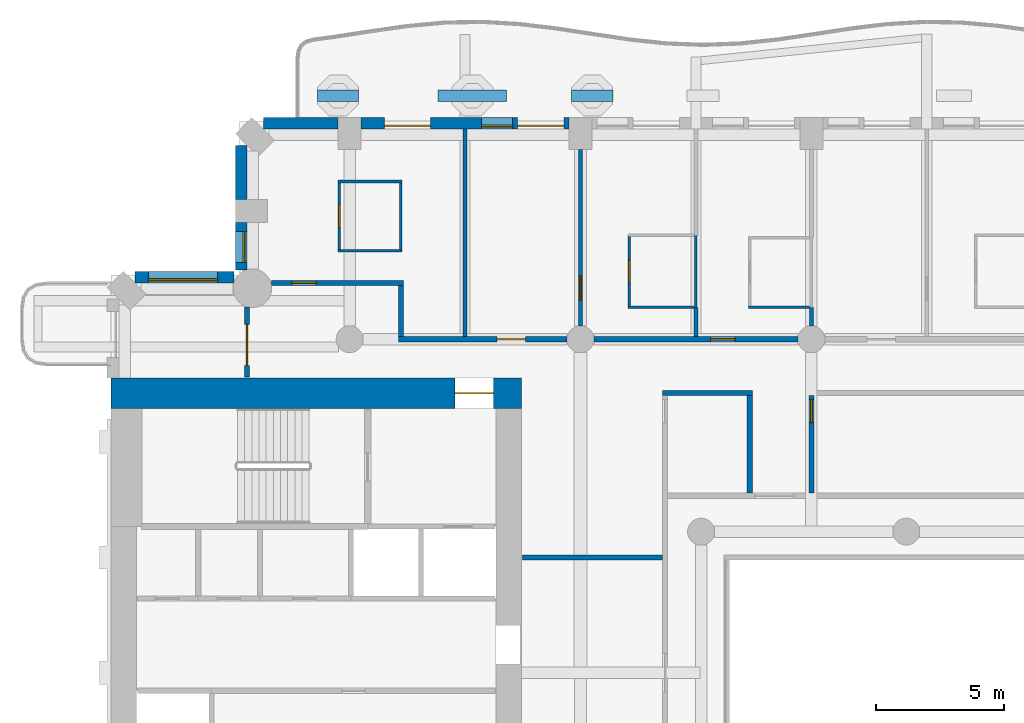
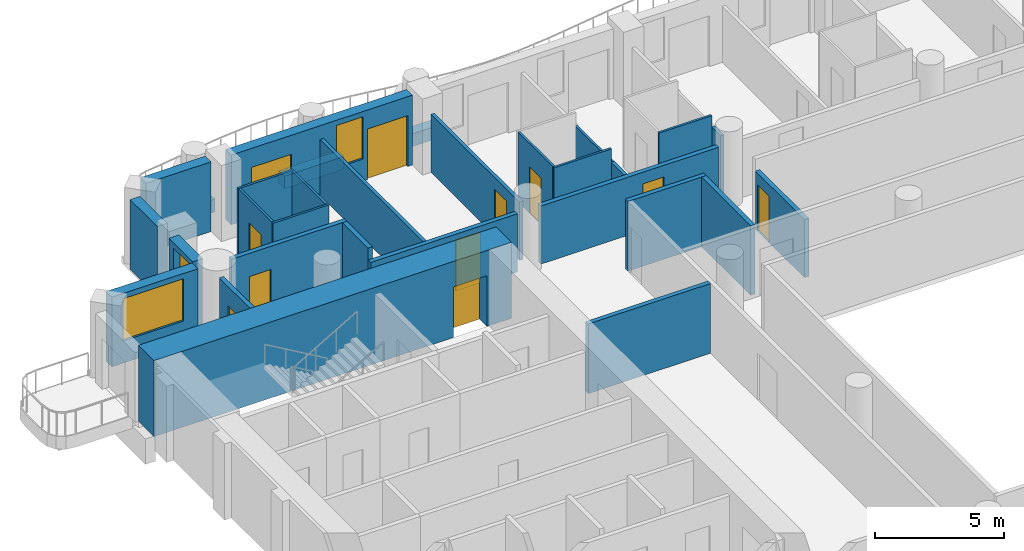
# One storey, part 8 of 20: 30 walls, 11 doors, 3 windows, 14 openings.
"""IFC4 building model written with IfcOpenShell, lengths in metres."""

from ifc_helpers import new_model, si_unit, direction, frame, frame_2d, origin, place, context, subcontext, project, spatial, rectangle, extrude, material, layer, layer_set, type_object, element, fill, save


model = new_model("IFC4")

# Units and contexts
model_context = context("Model", 3, precision=1e-05, world=origin(), true_north=direction((0.0, 1.0)))
body_context = subcontext(model_context, "Body", "Model", "MODEL_VIEW")
ifc_project = project(units=[si_unit("LENGTHUNIT", "METRE"), si_unit("AREAUNIT", "SQUARE_METRE"), si_unit("VOLUMEUNIT", "CUBIC_METRE"), si_unit("PLANEANGLEUNIT", "RADIAN"), si_unit("MASSUNIT", "GRAM", prefix="KILO")], contexts=[model_context])

# Site, building, storey
site_placement = place(None, origin())
site = spatial("IfcSite", under=ifc_project, at=site_placement, CompositionType="ELEMENT")
building_placement = place(site_placement, origin())
building = spatial("IfcBuilding", under=site, at=building_placement, Name="Cypress Arch Tower", CompositionType="ELEMENT")
storey_placement = place(building_placement, frame((0.0, 0.0, 109.5)))
storey = spatial("IfcBuildingStorey", under=building, at=storey_placement, Name="L22", CompositionType="ELEMENT", Elevation=109.5)

# Walls
ifc_material_1 = material(Name="Concrete C40/50, waterproofed", Category="concrete")
ifc_layer_1 = layer(ifc_material_1, 0.449951171875)
ifc_layer_set_1 = layer_set([ifc_layer_1], Name="Balcony planter wall PW450")
wall_type_1 = type_object("IfcWallType", Name="Balcony planter wall PW450", PredefinedType="SOLIDWALL", material=ifc_layer_set_1)
wall_1_placement = place(storey_placement, frame((-10.4375, 27.0, 0.0), z_axis=(0.0, 0.0, 1.0), x_axis=(-1.0, 0.0, 0.0)))
element("IfcWall", 1, at=wall_1_placement, inside=storey, type_object=wall_type_1, Name="Balcony planter wall L22-A08.4", PredefinedType="SOLIDWALL", context=body_context, shape_type="SweptSolid", body=[
    extrude(rectangle(XDim=1.612548828125, YDim=0.449951171875, at=frame_2d((0.80615234375, 0.0))), origin(), (0.0, 0.0, 1.0), 0.60009765625),
])
wall_2_placement = place(storey_placement, frame((-14.574951171875, 27.0, 0.0), z_axis=(0.0, 0.0, 1.0), x_axis=(-1.0, 0.0, 0.0)))
element("IfcWall", 2, at=wall_2_placement, inside=storey, type_object=wall_type_1, Name="Balcony planter wall L22-A08.5", PredefinedType="SOLIDWALL", context=body_context, shape_type="SweptSolid", body=[
    extrude(rectangle(XDim=2.675048828125, YDim=0.449951171875, at=frame_2d((1.33740234375, 0.0))), origin(), (0.0, 0.0, 1.0), 0.60009765625),
])
wall_3_placement = place(storey_placement, frame((-20.35009765625, 27.0, 0.0), z_axis=(0.0, 0.0, 1.0), x_axis=(-1.0, 0.0, 0.0)))
element("IfcWall", 3, at=wall_3_placement, inside=storey, type_object=wall_type_1, Name="Balcony planter wall L22-A08.6", PredefinedType="SOLIDWALL", context=body_context, shape_type="SweptSolid", body=[
    extrude(rectangle(XDim=1.599853515625, YDim=0.449951171875, at=frame_2d((0.7998046875, 0.0))), origin(), (0.0, 0.0, 1.0), 0.60009765625),
])

# Wall, openings, doors, window
ifc_material_2 = material(Name="Brick (red buff blend)", Category="masonry")
ifc_layer_2 = layer(ifc_material_2, 0.449951171875)
ifc_layer_set_2 = layer_set([ifc_layer_2], Name="Brick pier and spandrel wall BW450")
wall_type_2 = type_object("IfcWallType", Name="Brick pier and spandrel wall BW450", PredefinedType="SOLIDWALL", material=ifc_layer_set_2)
wall_4_placement = place(storey_placement, frame((-12.14990234375, 25.925048828125, 0.0), z_axis=(0.0, 0.0, 1.0), x_axis=(-1.0, 0.0, 0.0)))
wall_4 = element("IfcWall", 4, at=wall_4_placement, inside=storey, type_object=wall_type_2, Name="Brick wall L22 A08.3", PredefinedType="SOLIDWALL", context=body_context, shape_type="SweptSolid", body=[
    extrude(rectangle(XDim=8.10009765625, YDim=0.449951171875, at=frame_2d((4.050048828125, 0.0))), origin(), (0.0, 0.0, 1.0), 3.300048828125),
])
opening_1_placement = place(wall_4_placement, frame((0.199951171875, 0.0, 0.0)))
opening_1 = element("IfcOpeningElement", 5, at=opening_1_placement, cuts=wall_4, Name="Opening D-L22-A08.3.1", PredefinedType="OPENING", context=body_context, shape_type="SweptSolid", body=[
    extrude(rectangle(XDim=1.800048828125, YDim=2.39990234375, at=frame_2d((0.89990234375, 1.199951171875))), frame((0.0, 0.23486328125, 0.0), z_axis=(0.0, -1.0, 0.0), x_axis=(1.0, 0.0, 0.0)), (0.0, 0.0, 1.0), 0.469970703125),
])
opening_2_placement = place(wall_4_placement, frame((2.199951171875, 0.0, 1.050048828125)))
opening_2 = element("IfcOpeningElement", 6, at=opening_2_placement, cuts=wall_4, Name="Opening W120HD", PredefinedType="OPENING", context=body_context, shape_type="SweptSolid", body=[
    extrude(rectangle(XDim=1.199951171875, YDim=2.0, at=frame_2d((0.60009765625, 1.0))), frame((0.0, 0.23486328125, 0.0), z_axis=(0.0, -1.0, 0.0), x_axis=(1.0, 0.0, 0.0)), (0.0, 0.0, 1.0), 0.469970703125),
])
opening_3_placement = place(wall_4_placement, frame((5.39990234375, 0.0, 0.0)))
opening_3 = element("IfcOpeningElement", 7, at=opening_3_placement, cuts=wall_4, Name="Opening D-L22-A08.3.2", PredefinedType="OPENING", context=body_context, shape_type="SweptSolid", body=[
    extrude(rectangle(XDim=1.800048828125, YDim=2.39990234375, at=frame_2d((0.89990234375, 1.199951171875))), frame((0.0, 0.23486328125, 0.0), z_axis=(0.0, -1.0, 0.0), x_axis=(1.0, 0.0, 0.0)), (0.0, 0.0, 1.0), 0.469970703125),
])
ifc_material_3 = material(Name="Anodised aluminium, bronze finish, laminated low-emissivity double glazing, large-missile impact rated", Category="aluminium")
door_type_1 = type_object("IfcDoorType", Name="Balcony sliding door 1800x2400", OperationType="SLIDING_TO_LEFT", PredefinedType="DOOR", material=ifc_material_3)
door_1_placement = place(opening_1_placement, origin())
door_1 = element("IfcDoor", 8, at=door_1_placement, inside=storey, type_object=door_type_1, Name="Balcony door L22 A08.3.1", OperationType="SLIDING_TO_LEFT", OverallHeight=2.39990234375, OverallWidth=1.800048828125, PredefinedType="DOOR", context=body_context, shape_type="SweptSolid", body=[
    extrude(rectangle(XDim=1.800048828125, YDim=2.39990234375, at=frame_2d((0.89990234375, 1.199951171875))), frame((0.0, 0.1298828125, 0.0), z_axis=(0.0, -1.0, 0.0), x_axis=(1.0, 0.0, 0.0)), (0.0, 0.0, 1.0), 0.050048828125),
])
fill(opening_1, door_1)
door_2_placement = place(opening_3_placement, origin())
door_2 = element("IfcDoor", 9, at=door_2_placement, inside=storey, type_object=door_type_1, Name="Balcony door L22 A08.3.2", OperationType="SLIDING_TO_LEFT", OverallHeight=2.39990234375, OverallWidth=1.800048828125, PredefinedType="DOOR", context=body_context, shape_type="SweptSolid", body=[
    extrude(rectangle(XDim=1.800048828125, YDim=2.39990234375, at=frame_2d((0.89990234375, 1.199951171875))), frame((0.0, 0.1298828125, 0.0), z_axis=(0.0, -1.0, 0.0), x_axis=(1.0, 0.0, 0.0)), (0.0, 0.0, 1.0), 0.050048828125),
])
fill(opening_3, door_2)
ifc_material_4 = material(Name="Anodised aluminium, bronze finish, laminated low-emissivity double glazing, large-missile impact rated", Category="aluminium")
window_type_1 = type_object("IfcWindowType", Name="Window Hotel 1200x2000 debris-rated", PartitioningType="SINGLE_PANEL", PredefinedType="WINDOW", material=ifc_material_4)
window_1_placement = place(opening_2_placement, origin())
window_1 = element("IfcWindow", 10, at=window_1_placement, inside=storey, type_object=window_type_1, Name="Window L22 A08.3.1", OverallHeight=2.0, OverallWidth=1.199951171875, PartitioningType="SINGLE_PANEL", PredefinedType="WINDOW", context=body_context, shape_type="SweptSolid", body=[
    extrude(rectangle(XDim=1.199951171875, YDim=2.0, at=frame_2d((0.60009765625, 1.0))), frame((0.0, 0.135009765625, 0.0), z_axis=(0.0, -1.0, 0.0), x_axis=(1.0, 0.0, 0.0)), (0.0, 0.0, 1.0), 0.06005859375),
])
fill(opening_2, window_1)

# Walls
wall_5_placement = place(storey_placement, frame((-21.14990234375, 25.925048828125, 0.0), z_axis=(0.0, 0.0, 1.0), x_axis=(-1.0, 0.0, 0.0)))
element("IfcWall", 11, at=wall_5_placement, inside=storey, type_object=wall_type_2, Name="Brick wall L22 A08.4", PredefinedType="SOLIDWALL", context=body_context, shape_type="SweptSolid", body=[
    extrude(rectangle(XDim=2.913818359375, YDim=0.449951171875, at=frame_2d((1.45703125, 0.0))), origin(), (0.0, 0.0, 1.0), 3.300048828125),
])
wall_6_placement = place(storey_placement, frame((-24.925048828125, 25.063720703125, 0.0), z_axis=(0.0, 0.0, 1.0), x_axis=(0.0, -1.0, 0.0)))
element("IfcWall", 12, at=wall_6_placement, inside=storey, type_object=wall_type_2, Name="Brick wall L22 A09.0", PredefinedType="SOLIDWALL", context=body_context, shape_type="SweptSolid", body=[
    extrude(rectangle(XDim=2.11376953125, YDim=0.449951171875, at=frame_2d((1.056884765625, 0.0))), origin(), (0.0, 0.0, 1.0), 3.300048828125),
])

# Wall, opening, window
wall_7_placement = place(storey_placement, frame((-24.925048828125, 22.050048828125, 0.0), z_axis=(0.0, 0.0, 1.0), x_axis=(0.0, -1.0, 0.0)))
wall_7 = element("IfcWall", 13, at=wall_7_placement, inside=storey, type_object=wall_type_2, Name="Brick wall L22 A09.1", PredefinedType="SOLIDWALL", context=body_context, shape_type="SweptSolid", body=[
    extrude(rectangle(XDim=1.843017578125, YDim=0.449951171875, at=frame_2d((0.92138671875, 0.0))), origin(), (0.0, 0.0, 1.0), 3.300048828125),
])
opening_4_placement = place(wall_7_placement, frame((0.35009765625, 0.0, 1.050048828125)))
opening_4 = element("IfcOpeningElement", 14, at=opening_4_placement, cuts=wall_7, Name="Opening W120H", PredefinedType="OPENING", context=body_context, shape_type="SweptSolid", body=[
    extrude(rectangle(XDim=1.199951171875, YDim=2.0, at=frame_2d((0.60009765625, 1.0))), frame((0.0, 0.23486328125, 0.0), z_axis=(0.0, -1.0, 0.0), x_axis=(1.0, 0.0, 0.0)), (0.0, 0.0, 1.0), 0.469970703125),
])
ifc_material_5 = material(Name="Anodised aluminium, bronze finish, clear low-emissivity double glazing", Category="aluminium")
window_type_2 = type_object("IfcWindowType", Name="Window Hotel 1200x2000", PartitioningType="SINGLE_PANEL", PredefinedType="WINDOW", material=ifc_material_5)
window_2_placement = place(opening_4_placement, origin())
window_2 = element("IfcWindow", 15, at=window_2_placement, inside=storey, type_object=window_type_2, Name="Window L22 A09.1.1", OverallHeight=2.0, OverallWidth=1.199951171875, PartitioningType="SINGLE_PANEL", PredefinedType="WINDOW", context=body_context, shape_type="SweptSolid", body=[
    extrude(rectangle(XDim=1.199951171875, YDim=2.0, at=frame_2d((0.60009765625, 1.0))), frame((0.0, 0.135009765625, 0.0), z_axis=(0.0, -1.0, 0.0), x_axis=(1.0, 0.0, 0.0)), (0.0, 0.0, 1.0), 0.06005859375),
])
fill(opening_4, window_2)

wall_8_placement = place(storey_placement, frame((-25.20703125, 19.925048828125, 0.0), z_axis=(0.0, 0.0, 1.0), x_axis=(-1.0, 0.0, 0.0)))
wall_8 = element("IfcWall", 16, at=wall_8_placement, inside=storey, type_object=wall_type_2, Name="Brick wall L22 A10.0", PredefinedType="SOLIDWALL", context=body_context, shape_type="SweptSolid", body=[
    extrude(rectangle(XDim=3.856689453125, YDim=0.449951171875, at=frame_2d((1.92822265625, 0.0))), origin(), (0.0, 0.0, 1.0), 3.300048828125),
])
opening_5_placement = place(wall_8_placement, frame((0.64306640625, 0.0, 1.050048828125)))
opening_5 = element("IfcOpeningElement", 17, at=opening_5_placement, cuts=wall_8, Name="Opening W270H", PredefinedType="OPENING", context=body_context, shape_type="SweptSolid", body=[
    extrude(rectangle(XDim=2.699951171875, YDim=2.0, at=frame_2d((1.35009765625, 1.0))), frame((0.0, 0.23486328125, 0.0), z_axis=(0.0, -1.0, 0.0), x_axis=(1.0, 0.0, 0.0)), (0.0, 0.0, 1.0), 0.469970703125),
])
ifc_material_6 = material(Name="Anodised aluminium, bronze finish, clear low-emissivity double glazing", Category="aluminium")
window_type_3 = type_object("IfcWindowType", Name="Window Hotel 2700x2000", PartitioningType="SINGLE_PANEL", PredefinedType="WINDOW", material=ifc_material_6)
window_3_placement = place(opening_5_placement, origin())
window_3 = element("IfcWindow", 18, at=window_3_placement, inside=storey, type_object=window_type_3, Name="Window L22 A10.0.1", OverallHeight=2.0, OverallWidth=2.699951171875, PartitioningType="SINGLE_PANEL", PredefinedType="WINDOW", context=body_context, shape_type="SweptSolid", body=[
    extrude(rectangle(XDim=2.699951171875, YDim=2.0, at=frame_2d((1.35009765625, 1.0))), frame((0.0, 0.135009765625, 0.0), z_axis=(0.0, -1.0, 0.0), x_axis=(1.0, 0.0, 0.0)), (0.0, 0.0, 1.0), 0.06005859375),
])
fill(opening_5, window_3)

# Wall, opening, door
ifc_material_7 = material(Name="Concrete C80/95", Category="concrete")
ifc_layer_3 = layer(ifc_material_7, 1.199951171875)
ifc_layer_set_3 = layer_set([ifc_layer_3], Name="Core wall CW1200 C80/95")
wall_type_3 = type_object("IfcWallType", Name="Core wall CW1200 C80/95", PredefinedType="SHEAR", material=ifc_layer_set_3)
wall_9_placement = place(storey_placement, frame((-30.0, 15.39990234375, 0.0), z_axis=(0.0, 0.0, 1.0), x_axis=(1.0, 0.0, 0.0)))
wall_9 = element("IfcWall", 19, at=wall_9_placement, inside=storey, type_object=wall_type_3, Name="Core wall", PredefinedType="SHEAR", context=body_context, shape_type="SweptSolid", body=[
    extrude(rectangle(XDim=16.0, YDim=1.199951171875, at=frame_2d((8.0, 0.0))), origin(), (0.0, 0.0, 1.0), 3.60009765625),
])
opening_6_placement = place(wall_9_placement, frame((13.39990234375, 0.0, 0.0)))
opening_6 = element("IfcOpeningElement", 20, at=opening_6_placement, cuts=wall_9, Name="Opening D07", PredefinedType="OPENING", context=body_context, shape_type="SweptSolid", body=[
    extrude(rectangle(XDim=1.5, YDim=2.39990234375, at=frame_2d((0.75, 1.199951171875))), frame((0.0, 0.60986328125, 0.0), z_axis=(0.0, -1.0, 0.0), x_axis=(1.0, 0.0, 0.0)), (0.0, 0.0, 1.0), 1.219970703125),
])
ifc_material_8 = material(Name="Steel framed glazed door, fire resisting", Category="steel")
door_type_2 = type_object("IfcDoorType", Name="Lobby door D07 1500x2400", OperationType="DOUBLE_DOOR_SINGLE_SWING", PredefinedType="DOOR", material=ifc_material_8)
door_3_placement = place(opening_6_placement, origin())
door_3 = element("IfcDoor", 21, at=door_3_placement, inside=storey, type_object=door_type_2, Name="Lobby door", OperationType="DOUBLE_DOOR_SINGLE_SWING", OverallHeight=2.39990234375, OverallWidth=1.5, PredefinedType="DOOR", context=body_context, shape_type="SweptSolid", body=[
    extrude(rectangle(XDim=1.5, YDim=2.39990234375, at=frame_2d((0.75, 1.199951171875))), frame((0.0, 0.02490234375, 0.0), z_axis=(0.0, -1.0, 0.0), x_axis=(1.0, 0.0, 0.0)), (0.0, 0.0, 1.0), 0.050048828125),
])
fill(opening_6, door_3)

ifc_material_9 = material(Name="Concrete blockwork, plastered, rated", Category="masonry")
ifc_layer_4 = layer(ifc_material_9, 0.199951171875)
ifc_layer_set_4 = layer_set([ifc_layer_4], Name="Corridor wall FW200")
wall_type_4 = type_object("IfcWallType", Name="Corridor wall FW200", PredefinedType="PARTITIONING", material=ifc_layer_set_4)
wall_10_placement = place(storey_placement, frame((-24.699951171875, 16.030029296875, 0.0), z_axis=(0.0, 0.0, 1.0), x_axis=(0.0, 1.0, 0.0)))
wall_10 = element("IfcWall", 22, at=wall_10_placement, inside=storey, type_object=wall_type_4, Name="Corridor wall", PredefinedType="PARTITIONING", context=body_context, shape_type="SweptSolid", body=[
    extrude(rectangle(XDim=2.72216796875, YDim=0.199951171875, at=frame_2d((1.361083984375, 0.0))), origin(), (0.0, 0.0, 1.0), 3.300048828125),
])
opening_7_placement = place(wall_10_placement, frame((0.449951171875, 0.0, 0.0)))
opening_7 = element("IfcOpeningElement", 23, at=opening_7_placement, cuts=wall_10, Name="Opening D10", PredefinedType="OPENING", context=body_context, shape_type="SweptSolid", body=[
    extrude(rectangle(XDim=1.60009765625, YDim=2.39990234375, at=frame_2d((0.800048828125, 1.199951171875))), frame((0.0, 0.10986328125, 0.0), z_axis=(0.0, -1.0, 0.0), x_axis=(1.0, 0.0, 0.0)), (0.0, 0.0, 1.0), 0.219970703125),
])
ifc_material_10 = material(Name="Black aluminium glazed door", Category="aluminium")
door_type_3 = type_object("IfcDoorType", Name="Amenity door D10 1600x2400", OperationType="DOUBLE_DOOR_SINGLE_SWING", PredefinedType="DOOR", material=ifc_material_10)
door_4_placement = place(opening_7_placement, origin())
door_4 = element("IfcDoor", 24, at=door_4_placement, inside=storey, type_object=door_type_3, Name="Amenity door", OperationType="DOUBLE_DOOR_SINGLE_SWING", OverallHeight=2.39990234375, OverallWidth=1.60009765625, PredefinedType="DOOR", context=body_context, shape_type="SweptSolid", body=[
    extrude(rectangle(XDim=1.60009765625, YDim=2.39990234375, at=frame_2d((0.800048828125, 1.199951171875))), frame((0.0, 0.02490234375, 0.0), z_axis=(0.0, -1.0, 0.0), x_axis=(1.0, 0.0, 0.0)), (0.0, 0.0, 1.0), 0.050048828125),
])
fill(opening_7, door_4)

wall_11_placement = place(storey_placement, frame((-23.752197265625, 19.699951171875, 0.0), z_axis=(0.0, 0.0, 1.0), x_axis=(1.0, 0.0, 0.0)))
wall_11 = element("IfcWall", 25, at=wall_11_placement, inside=storey, type_object=wall_type_4, Name="Corridor wall", PredefinedType="PARTITIONING", context=body_context, shape_type="SweptSolid", body=[
    extrude(rectangle(XDim=5.152099609375, YDim=0.199951171875, at=frame_2d((2.576171875, 0.0))), origin(), (0.0, 0.0, 1.0), 3.300048828125),
])
opening_8_placement = place(wall_11_placement, frame((0.800048828125, 0.0, 0.0)))
opening_8 = element("IfcOpeningElement", 26, at=opening_8_placement, cuts=wall_11, Name="Opening D02", PredefinedType="OPENING", context=body_context, shape_type="SweptSolid", body=[
    extrude(rectangle(XDim=0.949951171875, YDim=2.199951171875, at=frame_2d((0.47509765625, 1.10009765625))), frame((0.0, 0.10986328125, 0.0), z_axis=(0.0, -1.0, 0.0), x_axis=(1.0, 0.0, 0.0)), (0.0, 0.0, 1.0), 0.219970703125),
])
ifc_material_11 = material(Name="Timber flush door, fire resisting", Category="wood")
door_type_4 = type_object("IfcDoorType", Name="Room door D02 950x2200", OperationType="SINGLE_SWING_LEFT", PredefinedType="DOOR", material=ifc_material_11)
door_5_placement = place(opening_8_placement, origin())
door_5 = element("IfcDoor", 27, at=door_5_placement, inside=storey, type_object=door_type_4, Name="Room door", OperationType="SINGLE_SWING_LEFT", OverallHeight=2.199951171875, OverallWidth=0.949951171875, PredefinedType="DOOR", context=body_context, shape_type="SweptSolid", body=[
    extrude(rectangle(XDim=0.949951171875, YDim=2.199951171875, at=frame_2d((0.47509765625, 1.10009765625))), frame((0.0, 0.02490234375, 0.0), z_axis=(0.0, -1.0, 0.0), x_axis=(1.0, 0.0, 0.0)), (0.0, 0.0, 1.0), 0.050048828125),
])
fill(opening_8, door_5)

# Wall
wall_12_placement = place(storey_placement, frame((-18.699951171875, 17.60009765625, 0.0), z_axis=(0.0, 0.0, 1.0), x_axis=(0.0, 1.0, 0.0)))
element("IfcWall", 28, at=wall_12_placement, inside=storey, type_object=wall_type_4, Name="Corridor wall", PredefinedType="PARTITIONING", context=body_context, shape_type="SweptSolid", body=[
    extrude(rectangle(XDim=2.0, YDim=0.199951171875, at=frame_2d((1.0, 0.0))), origin(), (0.0, 0.0, 1.0), 3.300048828125),
])

# Wall, opening, door
wall_13_placement = place(storey_placement, frame((-18.800048828125, 17.5, 0.0), z_axis=(0.0, 0.0, 1.0), x_axis=(1.0, 0.0, 0.0)))
wall_13 = element("IfcWall", 29, at=wall_13_placement, inside=storey, type_object=wall_type_4, Name="Corridor wall", PredefinedType="PARTITIONING", context=body_context, shape_type="SweptSolid", body=[
    extrude(rectangle(XDim=6.574951171875, YDim=0.199951171875, at=frame_2d((3.28759765625, 0.0))), origin(), (0.0, 0.0, 1.0), 2.75),
])
opening_9_placement = place(wall_13_placement, frame((3.85009765625, 0.0, 0.0)))
opening_9 = element("IfcOpeningElement", 30, at=opening_9_placement, cuts=wall_13, Name="Opening D01", PredefinedType="OPENING", context=body_context, shape_type="SweptSolid", body=[
    extrude(rectangle(XDim=1.10009765625, YDim=2.39990234375, at=frame_2d((0.550048828125, 1.199951171875))), frame((0.0, 0.10986328125, 0.0), z_axis=(0.0, -1.0, 0.0), x_axis=(1.0, 0.0, 0.0)), (0.0, 0.0, 1.0), 0.219970703125),
])
ifc_material_12 = material(Name="Timber flush door, fire resisting, self-closing", Category="wood")
door_type_5 = type_object("IfcDoorType", Name="Unit entrance door D01 1100x2400", OperationType="SINGLE_SWING_LEFT", PredefinedType="DOOR", material=ifc_material_12)
door_6_placement = place(opening_9_placement, origin())
door_6 = element("IfcDoor", 31, at=door_6_placement, inside=storey, type_object=door_type_5, Name="Unit entrance door", OperationType="SINGLE_SWING_LEFT", OverallHeight=2.39990234375, OverallWidth=1.10009765625, PredefinedType="DOOR", context=body_context, shape_type="SweptSolid", body=[
    extrude(rectangle(XDim=1.10009765625, YDim=2.39990234375, at=frame_2d((0.550048828125, 1.199951171875))), frame((0.0, 0.02490234375, 0.0), z_axis=(0.0, -1.0, 0.0), x_axis=(1.0, 0.0, 0.0)), (0.0, 0.0, 1.0), 0.050048828125),
])
fill(opening_9, door_6)

wall_14_placement = place(storey_placement, frame((-11.175048828125, 17.5, 0.0), z_axis=(0.0, 0.0, 1.0), x_axis=(1.0, 0.0, 0.0)))
wall_14 = element("IfcWall", 32, at=wall_14_placement, inside=storey, type_object=wall_type_4, Name="Corridor wall", PredefinedType="PARTITIONING", context=body_context, shape_type="SweptSolid", body=[
    extrude(rectangle(XDim=7.949951171875, YDim=0.199951171875, at=frame_2d((3.97509765625, 0.0))), origin(), (0.0, 0.0, 1.0), 2.75),
])
opening_10_placement = place(wall_14_placement, frame((4.550048828125, 0.0, 0.0)))
opening_10 = element("IfcOpeningElement", 33, at=opening_10_placement, cuts=wall_14, Name="Opening D02", PredefinedType="OPENING", context=body_context, shape_type="SweptSolid", body=[
    extrude(rectangle(XDim=0.949951171875, YDim=2.199951171875, at=frame_2d((0.47509765625, 1.10009765625))), frame((0.0, 0.10986328125, 0.0), z_axis=(0.0, -1.0, 0.0), x_axis=(1.0, 0.0, 0.0)), (0.0, 0.0, 1.0), 0.219970703125),
])
door_7_placement = place(opening_10_placement, origin())
door_7 = element("IfcDoor", 34, at=door_7_placement, inside=storey, type_object=door_type_4, Name="Room door", OperationType="SINGLE_SWING_LEFT", OverallHeight=2.199951171875, OverallWidth=0.949951171875, PredefinedType="DOOR", context=body_context, shape_type="SweptSolid", body=[
    extrude(rectangle(XDim=0.949951171875, YDim=2.199951171875, at=frame_2d((0.47509765625, 1.10009765625))), frame((0.0, 0.02490234375, 0.0), z_axis=(0.0, -1.0, 0.0), x_axis=(1.0, 0.0, 0.0)), (0.0, 0.0, 1.0), 0.050048828125),
])
fill(opening_10, door_7)

# Walls
wall_15_placement = place(storey_placement, frame((-13.969970703125, 9.0, 0.0), z_axis=(0.0, 0.0, 1.0), x_axis=(1.0, 0.0, 0.0)))
element("IfcWall", 35, at=wall_15_placement, inside=storey, type_object=wall_type_4, Name="Corridor wall", PredefinedType="PARTITIONING", context=body_context, shape_type="SweptSolid", body=[
    extrude(rectangle(XDim=5.469970703125, YDim=0.199951171875, at=frame_2d((2.73486328125, 0.0))), origin(), (0.0, 0.0, 1.0), 3.300048828125),
])
wall_16_placement = place(storey_placement, frame((-8.5, 15.39990234375, 0.0), z_axis=(0.0, 0.0, 1.0), x_axis=(1.0, 0.0, 0.0)))
element("IfcWall", 36, at=wall_16_placement, inside=storey, type_object=wall_type_4, Name="Corridor wall", PredefinedType="PARTITIONING", context=body_context, shape_type="SweptSolid", body=[
    extrude(rectangle(XDim=3.5, YDim=0.199951171875, at=frame_2d((1.75, 0.0))), origin(), (0.0, 0.0, 1.0), 3.300048828125),
])
wall_17_placement = place(storey_placement, frame((-5.10009765625, 11.5, 0.0), z_axis=(0.0, 0.0, 1.0), x_axis=(0.0, 1.0, 0.0)))
element("IfcWall", 37, at=wall_17_placement, inside=storey, type_object=wall_type_4, Name="Corridor wall", PredefinedType="PARTITIONING", context=body_context, shape_type="SweptSolid", body=[
    extrude(rectangle(XDim=3.800048828125, YDim=0.199951171875, at=frame_2d((1.89990234375, 0.0))), origin(), (0.0, 0.0, 1.0), 3.300048828125),
])

# Wall, opening, door
wall_18_placement = place(storey_placement, frame((-2.699951171875, 11.5, 0.0), z_axis=(0.0, 0.0, 1.0), x_axis=(0.0, 1.0, 0.0)))
wall_18 = element("IfcWall", 38, at=wall_18_placement, inside=storey, type_object=wall_type_4, Name="Corridor wall", PredefinedType="PARTITIONING", context=body_context, shape_type="SweptSolid", body=[
    extrude(rectangle(XDim=3.800048828125, YDim=0.199951171875, at=frame_2d((1.89990234375, 0.0))), origin(), (0.0, 0.0, 1.0), 2.75),
])
opening_11_placement = place(wall_18_placement, frame((2.75, 0.0, 0.0)))
opening_11 = element("IfcOpeningElement", 39, at=opening_11_placement, cuts=wall_18, Name="Opening D05", PredefinedType="OPENING", context=body_context, shape_type="SweptSolid", body=[
    extrude(rectangle(XDim=0.89990234375, YDim=2.199951171875, at=frame_2d((0.449951171875, 1.10009765625))), frame((0.0, 0.10986328125, 0.0), z_axis=(0.0, -1.0, 0.0), x_axis=(1.0, 0.0, 0.0)), (0.0, 0.0, 1.0), 0.219970703125),
])
ifc_material_13 = material(Name="Timber flush door", Category="wood")
door_type_6 = type_object("IfcDoorType", Name="Service door D05 900x2200", OperationType="SINGLE_SWING_LEFT", PredefinedType="DOOR", material=ifc_material_13)
door_8_placement = place(opening_11_placement, origin())
door_8 = element("IfcDoor", 40, at=door_8_placement, inside=storey, type_object=door_type_6, Name="Service door", OperationType="SINGLE_SWING_LEFT", OverallHeight=2.199951171875, OverallWidth=0.89990234375, PredefinedType="DOOR", context=body_context, shape_type="SweptSolid", body=[
    extrude(rectangle(XDim=0.89990234375, YDim=2.199951171875, at=frame_2d((0.449951171875, 1.10009765625))), frame((0.0, 0.02490234375, 0.0), z_axis=(0.0, -1.0, 0.0), x_axis=(1.0, 0.0, 0.0)), (0.0, 0.0, 1.0), 0.050048828125),
])
fill(opening_11, door_8)

# Wall
ifc_material_14 = material(Name="Blockwork, plastered both sides", Category="masonry")
ifc_layer_5 = layer(ifc_material_14, 0.14990234375)
ifc_layer_set_5 = layer_set([ifc_layer_5], Name="Partition PW150")
wall_type_5 = type_object("IfcWallType", Name="Partition PW150", PredefinedType="PARTITIONING", material=ifc_layer_set_5)
wall_19_placement = place(storey_placement, frame((-16.199951171875, 17.60009765625, 0.0), z_axis=(0.0, 0.0, 1.0), x_axis=(0.0, 1.0, 0.0)))
element("IfcWall", 41, at=wall_19_placement, inside=storey, type_object=wall_type_5, Name="Partition", PredefinedType="PARTITIONING", context=body_context, shape_type="SweptSolid", body=[
    extrude(rectangle(XDim=8.099853515625, YDim=0.14990234375, at=frame_2d((4.0498046875, 0.0))), origin(), (0.0, 0.0, 1.0), 2.64990234375),
])

# Wall, opening, door
wall_20_placement = place(storey_placement, frame((-11.699951171875, 18.02490234375, 0.0), z_axis=(0.0, 0.0, 1.0), x_axis=(0.0, 1.0, 0.0)))
wall_20 = element("IfcWall", 42, at=wall_20_placement, inside=storey, type_object=wall_type_5, Name="Partition", PredefinedType="PARTITIONING", context=body_context, shape_type="SweptSolid", body=[
    extrude(rectangle(XDim=6.875, YDim=0.14990234375, at=frame_2d((3.4375, 0.0))), origin(), (0.0, 0.0, 1.0), 2.75),
])
opening_12_placement = place(wall_20_placement, frame((1.0, 0.0, 0.0)))
opening_12 = element("IfcOpeningElement", 43, at=opening_12_placement, cuts=wall_20, Name="Opening D12", PredefinedType="OPENING", context=body_context, shape_type="SweptSolid", body=[
    extrude(rectangle(XDim=0.949951171875, YDim=2.199951171875, at=frame_2d((0.47509765625, 1.10009765625))), frame((0.0, 0.0849609375, 0.0), z_axis=(0.0, -1.0, 0.0), x_axis=(1.0, 0.0, 0.0)), (0.0, 0.0, 1.0), 0.169921875),
])
ifc_material_15 = material(Name="Timber flush door", Category="wood")
door_type_7 = type_object("IfcDoorType", Name="Room door D12 950x2200", OperationType="SINGLE_SWING_LEFT", PredefinedType="DOOR", material=ifc_material_15)
door_9_placement = place(opening_12_placement, origin())
door_9 = element("IfcDoor", 44, at=door_9_placement, inside=storey, type_object=door_type_7, Name="Room door", OperationType="SINGLE_SWING_LEFT", OverallHeight=2.199951171875, OverallWidth=0.949951171875, PredefinedType="DOOR", context=body_context, shape_type="SweptSolid", body=[
    extrude(rectangle(XDim=0.949951171875, YDim=2.199951171875, at=frame_2d((0.47509765625, 1.10009765625))), frame((0.0, 0.02490234375, 0.0), z_axis=(0.0, -1.0, 0.0), x_axis=(1.0, 0.0, 0.0)), (0.0, 0.0, 1.0), 0.050048828125),
])
fill(opening_12, door_9)

# Walls
wall_21_placement = place(storey_placement, frame((-7.199951171875, 17.60009765625, 0.0), z_axis=(0.0, 0.0, 1.0), x_axis=(0.0, 1.0, 0.0)))
element("IfcWall", 45, at=wall_21_placement, inside=storey, type_object=wall_type_5, Name="Partition", PredefinedType="PARTITIONING", context=body_context, shape_type="SweptSolid", body=[
    extrude(rectangle(XDim=1.1298828125, YDim=0.14990234375, at=frame_2d((0.56494140625, 0.0))), origin(), (0.0, 0.0, 1.0), 2.64990234375),
])
wall_22_placement = place(storey_placement, frame((-2.699951171875, 18.02490234375, 0.0), z_axis=(0.0, 0.0, 1.0), x_axis=(0.0, 1.0, 0.0)))
element("IfcWall", 46, at=wall_22_placement, inside=storey, type_object=wall_type_5, Name="Partition", PredefinedType="PARTITIONING", context=body_context, shape_type="SweptSolid", body=[
    extrude(rectangle(XDim=0.705078125, YDim=0.14990234375, at=frame_2d((0.3525390625, 0.0))), origin(), (0.0, 0.0, 1.0), 2.75),
])

# Wall, opening, door
ifc_material_16 = material(Name="Moisture resistant board on steel studs, tiled", Category="steel")
ifc_layer_6 = layer(ifc_material_16, 0.10009765625)
ifc_layer_set_6 = layer_set([ifc_layer_6], Name="Wet wall PW100")
wall_type_6 = type_object("IfcWallType", Name="Wet wall PW100", PredefinedType="PARTITIONING", material=ifc_layer_set_6)
wall_23_placement = place(storey_placement, frame((-21.10009765625, 21.0, 0.0), z_axis=(0.0, 0.0, 1.0), x_axis=(0.0, 1.0, 0.0)))
wall_23 = element("IfcWall", 47, at=wall_23_placement, inside=storey, type_object=wall_type_6, Name="Wet wall", PredefinedType="PARTITIONING", context=body_context, shape_type="SweptSolid", body=[
    extrude(rectangle(XDim=2.60009765625, YDim=0.10009765625, at=frame_2d((1.300048828125, 0.0))), origin(), (0.0, 0.0, 1.0), 3.300048828125),
])
opening_13_placement = place(wall_23_placement, frame((0.85009765625, 0.0, 0.0)))
opening_13 = element("IfcOpeningElement", 48, at=opening_13_placement, cuts=wall_23, Name="Opening D03", PredefinedType="OPENING", context=body_context, shape_type="SweptSolid", body=[
    extrude(rectangle(XDim=0.89990234375, YDim=2.199951171875, at=frame_2d((0.449951171875, 1.10009765625))), frame((0.0, 0.06005859375, 0.0), z_axis=(0.0, -1.0, 0.0), x_axis=(1.0, 0.0, 0.0)), (0.0, 0.0, 1.0), 0.1201171875),
])
ifc_material_17 = material(Name="Timber flush door, moisture resistant", Category="wood")
door_type_8 = type_object("IfcDoorType", Name="Bathroom door D03 900x2200", OperationType="SINGLE_SWING_LEFT", PredefinedType="DOOR", material=ifc_material_17)
door_10_placement = place(opening_13_placement, origin())
door_10 = element("IfcDoor", 49, at=door_10_placement, inside=storey, type_object=door_type_8, Name="Bathroom door", OperationType="SINGLE_SWING_LEFT", OverallHeight=2.199951171875, OverallWidth=0.89990234375, PredefinedType="DOOR", context=body_context, shape_type="SweptSolid", body=[
    extrude(rectangle(XDim=0.89990234375, YDim=2.199951171875, at=frame_2d((0.449951171875, 1.10009765625))), frame((0.0, 0.02490234375, 0.0), z_axis=(0.0, -1.0, 0.0), x_axis=(1.0, 0.0, 0.0)), (0.0, 0.0, 1.0), 0.050048828125),
])
fill(opening_13, door_10)

# Walls
for number, where, z_axis, x_axis, name in (
    (50, (-21.14990234375, 20.949951171875, 0.0), (0.0, 0.0, 1.0), (1.0, 0.0, 0.0), "Wet wall"),
    (51, (-21.14990234375, 23.64990234375, 0.0), (0.0, 0.0, 1.0), (1.0, 0.0, 0.0), "Wet wall"),
):
    element("IfcWall", number, at=place(storey_placement, frame(where, z_axis=z_axis, x_axis=x_axis)), inside=storey, type_object=wall_type_6, Name=name, PredefinedType="PARTITIONING", context=body_context, shape_type="SweptSolid", body=[
        extrude(rectangle(XDim=2.5, YDim=0.10009765625, at=frame_2d((1.25, 0.0))), origin(), (0.0, 0.0, 1.0), 3.300048828125),
    ])
wall_24_placement = place(storey_placement, frame((-18.699951171875, 21.0, 0.0), z_axis=(0.0, 0.0, 1.0), x_axis=(0.0, 1.0, 0.0)))
element("IfcWall", 52, at=wall_24_placement, inside=storey, type_object=wall_type_6, Name="Wet wall", PredefinedType="PARTITIONING", context=body_context, shape_type="SweptSolid", body=[
    extrude(rectangle(XDim=2.60009765625, YDim=0.10009765625, at=frame_2d((1.300048828125, 0.0))), origin(), (0.0, 0.0, 1.0), 3.300048828125),
])

# Wall, opening, door
wall_25_placement = place(storey_placement, frame((-9.7958984375, 18.800048828125, 0.0), z_axis=(0.0, 0.0, 1.0), x_axis=(0.0, 1.0, 0.0)))
wall_25 = element("IfcWall", 53, at=wall_25_placement, inside=storey, type_object=wall_type_6, Name="Wet wall", PredefinedType="PARTITIONING", context=body_context, shape_type="SweptSolid", body=[
    extrude(rectangle(XDim=2.699951171875, YDim=0.10009765625, at=frame_2d((1.35009765625, 0.0))), origin(), (0.0, 0.0, 1.0), 3.300048828125),
])
opening_14_placement = place(wall_25_placement, frame((0.89990234375, 0.0, 0.0)))
opening_14 = element("IfcOpeningElement", 54, at=opening_14_placement, cuts=wall_25, Name="Opening D03", PredefinedType="OPENING", context=body_context, shape_type="SweptSolid", body=[
    extrude(rectangle(XDim=0.89990234375, YDim=2.199951171875, at=frame_2d((0.449951171875, 1.10009765625))), frame((0.0, 0.06005859375, 0.0), z_axis=(0.0, -1.0, 0.0), x_axis=(1.0, 0.0, 0.0)), (0.0, 0.0, 1.0), 0.1201171875),
])
door_11_placement = place(opening_14_placement, origin())
door_11 = element("IfcDoor", 55, at=door_11_placement, inside=storey, type_object=door_type_8, Name="Bathroom door", OperationType="SINGLE_SWING_LEFT", OverallHeight=2.199951171875, OverallWidth=0.89990234375, PredefinedType="DOOR", context=body_context, shape_type="SweptSolid", body=[
    extrude(rectangle(XDim=0.89990234375, YDim=2.199951171875, at=frame_2d((0.449951171875, 1.10009765625))), frame((0.0, 0.02490234375, 0.0), z_axis=(0.0, -1.0, 0.0), x_axis=(1.0, 0.0, 0.0)), (0.0, 0.0, 1.0), 0.050048828125),
])
fill(opening_14, door_11)

# Walls
wall_26_placement = place(storey_placement, frame((-9.845947265625, 18.75, 0.0), z_axis=(0.0, 0.0, 1.0), x_axis=(1.0, 0.0, 0.0)))
element("IfcWall", 56, at=wall_26_placement, inside=storey, type_object=wall_type_6, Name="Wet wall", PredefinedType="PARTITIONING", context=body_context, shape_type="SweptSolid", body=[
    extrude(rectangle(XDim=2.571044921875, YDim=0.10009765625, at=frame_2d((1.28564453125, 0.0))), origin(), (0.0, 0.0, 1.0), 3.300048828125),
])
wall_27_placement = place(storey_placement, frame((-7.199951171875, 18.72998046875, 0.0), z_axis=(0.0, 0.0, 1.0), x_axis=(0.0, 1.0, 0.0)))
element("IfcWall", 57, at=wall_27_placement, inside=storey, type_object=wall_type_6, Name="Wet wall", PredefinedType="PARTITIONING", context=body_context, shape_type="SweptSolid", body=[
    extrude(rectangle(XDim=2.820068359375, YDim=0.10009765625, at=frame_2d((1.41015625, 0.0))), origin(), (0.0, 0.0, 1.0), 2.64990234375),
])
wall_28_placement = place(storey_placement, frame((-5.14599609375, 18.75, 0.0), z_axis=(0.0, 0.0, 1.0), x_axis=(1.0, 0.0, 0.0)))
element("IfcWall", 58, at=wall_28_placement, inside=storey, type_object=wall_type_6, Name="Wet wall", PredefinedType="PARTITIONING", context=body_context, shape_type="SweptSolid", body=[
    extrude(rectangle(XDim=2.37109375, YDim=0.10009765625, at=frame_2d((1.185546875, 0.0))), origin(), (0.0, 0.0, 1.0), 3.300048828125),
])

save(model, "model.ifc")
